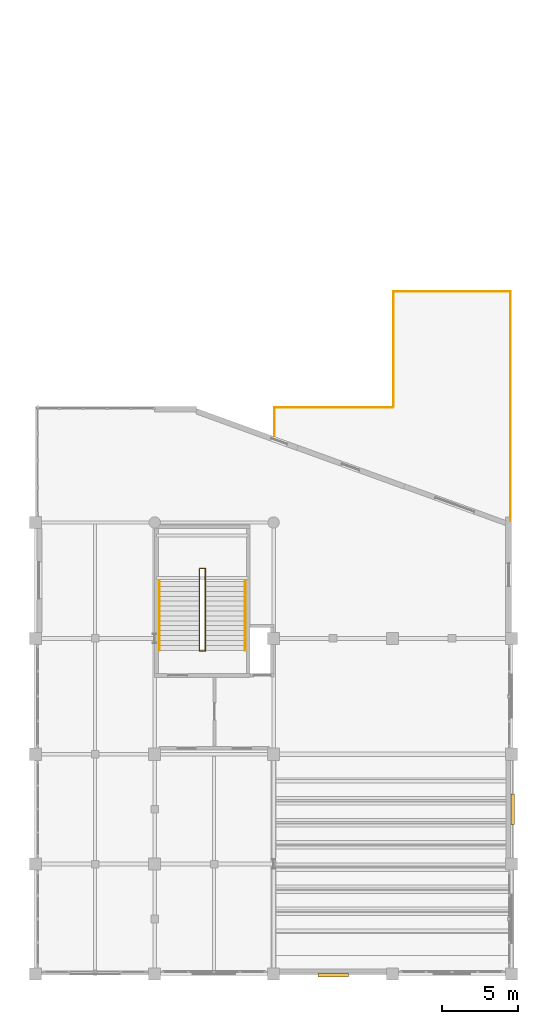
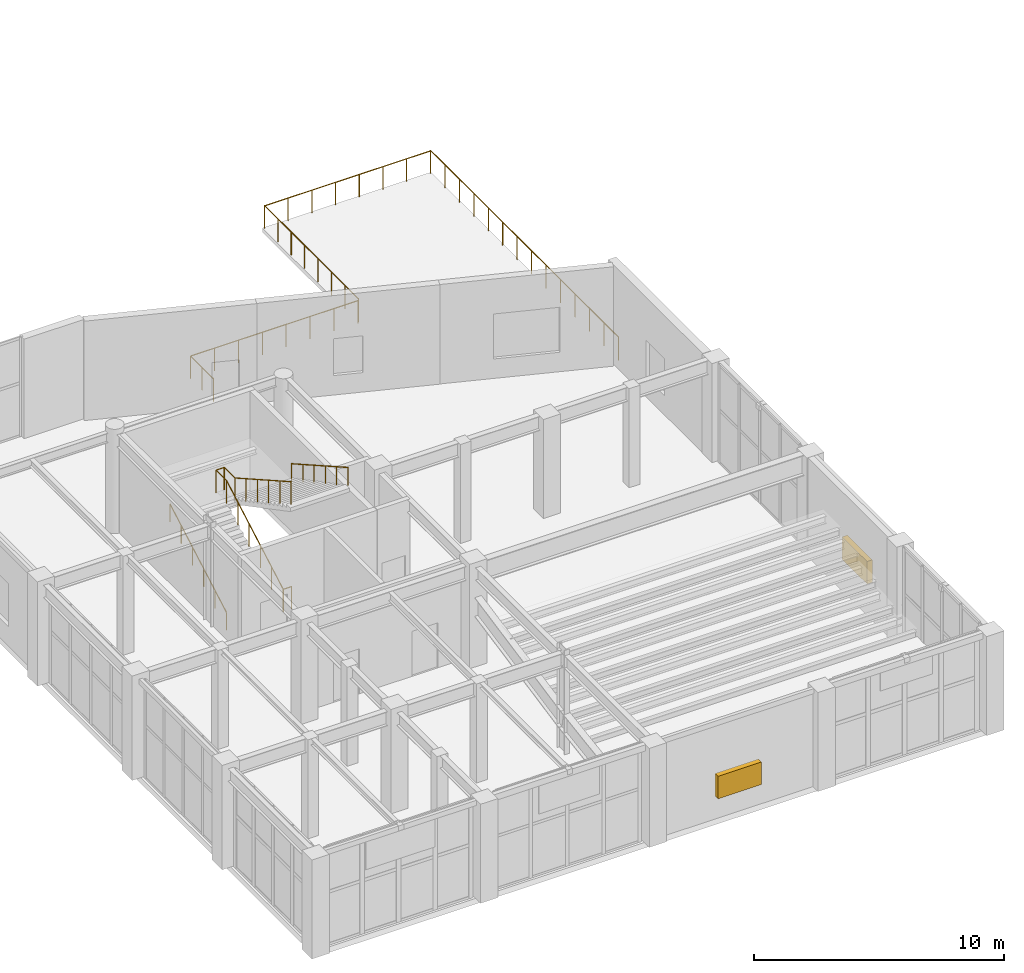
# One storey, part 127 of 128: 9 railings, 2 shading devices.
"""IFC4 building model written with IfcOpenShell, lengths in metres."""

from ifc_helpers import new_model, si_unit, direction, frame, origin, origin_2d, place, context, subcontext, project, spatial, rectangle, circle, extrude, material, type_object, element, save


model = new_model("IFC4")

# Units and contexts
model_context = context("Model", 3, precision=1e-05, world=origin(), true_north=direction((0.0, 1.0)))
body_context = subcontext(model_context, "Body", "Model", "MODEL_VIEW")
ifc_project = project(units=[si_unit("LENGTHUNIT", "METRE"), si_unit("AREAUNIT", "SQUARE_METRE"), si_unit("VOLUMEUNIT", "CUBIC_METRE"), si_unit("PLANEANGLEUNIT", "RADIAN"), si_unit("MASSUNIT", "GRAM", prefix="KILO")], contexts=[model_context])

# Site, building, storey
site_placement = place(None, origin())
site = spatial("IfcSite", under=ifc_project, at=site_placement, CompositionType="ELEMENT")
building_placement = place(site_placement, origin())
building = spatial("IfcBuilding", under=site, at=building_placement, Name="Xicomal Pleat Aquarium", CompositionType="ELEMENT")
storey_placement = place(building_placement, frame((0.0, 0.0, 5.39990234375)))
storey = spatial("IfcBuildingStorey", under=building, at=storey_placement, Name="L02", CompositionType="ELEMENT", Elevation=5.39990234375)

# Railings
ifc_material_1 = material(Name="Stainless steel 316L and laminated safety glass", Category="steel")
railing_type_1 = type_object("IfcRailingType", Name="RAL-GRD-1120", PredefinedType="GUARDRAIL", material=ifc_material_1)
railing_1_placement = place(storey_placement, frame((149.4599609375, 37.93994140625, 0.0)))
element("IfcRailing", 1, at=railing_1_placement, inside=storey, type_object=railing_type_1, Name="L02 terrace perimeter guard 1", PredefinedType="GUARDRAIL", context=body_context, shape_type="SweptSolid", body=[
    extrude(circle(Radius=0.02392578125, at=origin_2d()), frame((0.0, 0.0, 1.09619140625), z_axis=(1.0, 0.0, 0.0), x_axis=(0.0, 1.0, 0.0)), (0.0, 0.0, 1.0), 7.739990234375),
    extrude(circle(Radius=0.02099609375, at=origin_2d()), origin(), (0.0, 0.0, 1.0), 1.072021484375),
    extrude(circle(Radius=0.02099609375, at=origin_2d()), frame((1.105712890625, 0.0, 0.0)), (0.0, 0.0, 1.0), 1.072021484375),
    extrude(circle(Radius=0.02099609375, at=origin_2d()), frame((2.21142578125, 0.0, 0.0)), (0.0, 0.0, 1.0), 1.072021484375),
    extrude(circle(Radius=0.02099609375, at=origin_2d()), frame((3.317138671875, 0.0, 0.0)), (0.0, 0.0, 1.0), 1.072021484375),
    extrude(circle(Radius=0.02099609375, at=origin_2d()), frame((4.4228515625, 0.0, 0.0)), (0.0, 0.0, 1.0), 1.072021484375),
    extrude(circle(Radius=0.02099609375, at=origin_2d()), frame((5.528564453125, 0.0, 0.0)), (0.0, 0.0, 1.0), 1.072021484375),
    extrude(circle(Radius=0.02099609375, at=origin_2d()), frame((6.63427734375, 0.0, 0.0)), (0.0, 0.0, 1.0), 1.072021484375),
    extrude(circle(Radius=0.02099609375, at=origin_2d()), frame((7.739990234375, 0.0, 0.0)), (0.0, 0.0, 1.0), 1.072021484375),
])
railing_2_placement = place(storey_placement, frame((157.260009765625, 45.5400390625, 0.0)))
element("IfcRailing", 2, at=railing_2_placement, inside=storey, type_object=railing_type_1, Name="L02 terrace perimeter guard 3", PredefinedType="GUARDRAIL", context=body_context, shape_type="SweptSolid", body=[
    extrude(circle(Radius=0.02392578125, at=origin_2d()), frame((0.0, 0.0, 1.09619140625), z_axis=(1.0, 0.0, 0.0), x_axis=(0.0, 1.0, 0.0)), (0.0, 0.0, 1.0), 7.679931640625),
    extrude(circle(Radius=0.02099609375, at=origin_2d()), origin(), (0.0, 0.0, 1.0), 1.072021484375),
    extrude(circle(Radius=0.02099609375, at=origin_2d()), frame((1.09716796875, 0.0, 0.0)), (0.0, 0.0, 1.0), 1.072021484375),
    extrude(circle(Radius=0.02099609375, at=origin_2d()), frame((2.1943359375, 0.0, 0.0)), (0.0, 0.0, 1.0), 1.072021484375),
    extrude(circle(Radius=0.02099609375, at=origin_2d()), frame((3.29150390625, 0.0, 0.0)), (0.0, 0.0, 1.0), 1.072021484375),
    extrude(circle(Radius=0.02099609375, at=origin_2d()), frame((4.388427734375, 0.0, 0.0)), (0.0, 0.0, 1.0), 1.072021484375),
    extrude(circle(Radius=0.02099609375, at=origin_2d()), frame((5.485595703125, 0.0, 0.0)), (0.0, 0.0, 1.0), 1.072021484375),
    extrude(circle(Radius=0.02099609375, at=origin_2d()), frame((6.582763671875, 0.0, 0.0)), (0.0, 0.0, 1.0), 1.072021484375),
    extrude(circle(Radius=0.02099609375, at=origin_2d()), frame((7.679931640625, 0.0, 0.0)), (0.0, 0.0, 1.0), 1.072021484375),
])
railing_3_placement = place(storey_placement, frame((149.4599609375, 36.087890625, 0.0)))
element("IfcRailing", 3, at=railing_3_placement, inside=storey, type_object=railing_type_1, Name="L02 terrace perimeter guard 5", PredefinedType="GUARDRAIL", context=body_context, shape_type="SweptSolid", body=[
    extrude(circle(Radius=0.02392578125, at=origin_2d()), frame((0.0, 0.0, 1.09619140625), z_axis=(0.0, 1.0, 0.0), x_axis=(-1.0, 0.0, 0.0)), (0.0, 0.0, 1.0), 1.85205078125),
    extrude(circle(Radius=0.02099609375, at=origin_2d()), origin(), (0.0, 0.0, 1.0), 1.072021484375),
    extrude(circle(Radius=0.02099609375, at=origin_2d()), frame((0.0, 0.926025390625, 0.0)), (0.0, 0.0, 1.0), 1.072021484375),
    extrude(circle(Radius=0.02099609375, at=origin_2d()), frame((0.0, 1.85205078125, 0.0)), (0.0, 0.0, 1.0), 1.072021484375),
])
ifc_material_2 = material(Name="Stainless steel 316L and laminated safety glass", Category="steel")
railing_type_2 = type_object("IfcRailingType", Name="RAL-GRD-1150", PredefinedType="GUARDRAIL", material=ifc_material_2)
railing_4_placement = place(storey_placement, frame((157.260009765625, 38.0, 0.0)))
element("IfcRailing", 4, at=railing_4_placement, inside=storey, type_object=railing_type_2, Name="L02 terrace perimeter guard 2", PredefinedType="GUARDRAIL", context=body_context, shape_type="SweptSolid", body=[
    extrude(circle(Radius=0.02392578125, at=origin_2d()), frame((0.0, 0.0, 1.1259765625), z_axis=(0.0, 1.0, 0.0), x_axis=(-1.0, 0.0, 0.0)), (0.0, 0.0, 1.0), 7.5400390625),
    extrude(circle(Radius=0.02099609375, at=origin_2d()), origin(), (0.0, 0.0, 1.0), 1.101806640625),
    extrude(circle(Radius=0.02099609375, at=origin_2d()), frame((0.0, 1.0771484375, 0.0)), (0.0, 0.0, 1.0), 1.101806640625),
    extrude(circle(Radius=0.02099609375, at=origin_2d()), frame((0.0, 2.154296875, 0.0)), (0.0, 0.0, 1.0), 1.101806640625),
    extrude(circle(Radius=0.02099609375, at=origin_2d()), frame((0.0, 3.2314453125, 0.0)), (0.0, 0.0, 1.0), 1.101806640625),
    extrude(circle(Radius=0.02099609375, at=origin_2d()), frame((0.0, 4.30859375, 0.0)), (0.0, 0.0, 1.0), 1.101806640625),
    extrude(circle(Radius=0.02099609375, at=origin_2d()), frame((0.0, 5.3857421875, 0.0)), (0.0, 0.0, 1.0), 1.101806640625),
    extrude(circle(Radius=0.02099609375, at=origin_2d()), frame((0.0, 6.462890625, 0.0)), (0.0, 0.0, 1.0), 1.101806640625),
    extrude(circle(Radius=0.02099609375, at=origin_2d()), frame((0.0, 7.5400390625, 0.0)), (0.0, 0.0, 1.0), 1.101806640625),
])
railing_5_placement = place(storey_placement, frame((164.93994140625, 45.5400390625, 0.0)))
element("IfcRailing", 5, at=railing_5_placement, inside=storey, type_object=railing_type_2, Name="L02 terrace perimeter guard 4", PredefinedType="GUARDRAIL", context=body_context, shape_type="SweptSolid", body=[
    extrude(circle(Radius=0.02392578125, at=origin_2d()), frame((0.0, 0.0, 1.1259765625), z_axis=(0.0, -1.0, 0.0), x_axis=(1.0, 0.0, 0.0)), (0.0, 0.0, 1.0), 15.053955078125),
    extrude(circle(Radius=0.02099609375, at=origin_2d()), origin(), (0.0, 0.0, 1.0), 1.101806640625),
    extrude(circle(Radius=0.02099609375, at=origin_2d()), frame((0.0, -1.157958984375, 0.0)), (0.0, 0.0, 1.0), 1.101806640625),
    extrude(circle(Radius=0.02099609375, at=origin_2d()), frame((0.0, -2.31591796875, 0.0)), (0.0, 0.0, 1.0), 1.101806640625),
    extrude(circle(Radius=0.02099609375, at=origin_2d()), frame((0.0, -3.473876953125, 0.0)), (0.0, 0.0, 1.0), 1.101806640625),
    extrude(circle(Radius=0.02099609375, at=origin_2d()), frame((0.0, -4.632080078125, 0.0)), (0.0, 0.0, 1.0), 1.101806640625),
    extrude(circle(Radius=0.02099609375, at=origin_2d()), frame((0.0, -5.7900390625, 0.0)), (0.0, 0.0, 1.0), 1.101806640625),
    extrude(circle(Radius=0.02099609375, at=origin_2d()), frame((0.0, -6.947998046875, 0.0)), (0.0, 0.0, 1.0), 1.101806640625),
    extrude(circle(Radius=0.02099609375, at=origin_2d()), frame((0.0, -8.10595703125, 0.0)), (0.0, 0.0, 1.0), 1.101806640625),
    extrude(circle(Radius=0.02099609375, at=origin_2d()), frame((0.0, -9.263916015625, 0.0)), (0.0, 0.0, 1.0), 1.101806640625),
    extrude(circle(Radius=0.02099609375, at=origin_2d()), frame((0.0, -10.421875, 0.0)), (0.0, 0.0, 1.0), 1.101806640625),
    extrude(circle(Radius=0.02099609375, at=origin_2d()), frame((0.0, -11.580078125, 0.0)), (0.0, 0.0, 1.0), 1.101806640625),
    extrude(circle(Radius=0.02099609375, at=origin_2d()), frame((0.0, -12.738037109375, 0.0)), (0.0, 0.0, 1.0), 1.101806640625),
    extrude(circle(Radius=0.02099609375, at=origin_2d()), frame((0.0, -13.89599609375, 0.0)), (0.0, 0.0, 1.0), 1.101806640625),
    extrude(circle(Radius=0.02099609375, at=origin_2d()), frame((0.0, -15.053955078125, 0.0)), (0.0, 0.0, 1.0), 1.101806640625),
])
ifc_material_3 = material(Name="Brushed stainless steel 316L", Category="steel")
railing_type_3 = type_object("IfcRailingType", Name="RAL-HR-900", PredefinedType="HANDRAIL", material=ifc_material_3)
railing_6_placement = place(storey_placement, frame((141.919921875, 22.02001953125, 0.0)))
element("IfcRailing", 6, at=railing_6_placement, inside=storey, type_object=railing_type_3, Name="ST-08-L02 flight 1 handrail", PredefinedType="HANDRAIL", context=body_context, shape_type="SweptSolid", body=[
    extrude(circle(Radius=0.02392578125, at=origin_2d()), frame((0.0, 0.0, 0.8759765625), z_axis=(0.0, 0.870395983686, 0.492352344955), x_axis=(-1.0, 0.0, 0.0)), (0.0, 0.0, 1.0), 5.17919921875),
    extrude(circle(Radius=0.02099609375, at=origin_2d()), origin(), (0.0, 0.0, 1.0), 0.851806640625),
    extrude(circle(Radius=0.02099609375, at=origin_2d()), frame((0.0, 0.901611328125, 0.510009765625)), (0.0, 0.0, 1.0), 0.851806640625),
    extrude(circle(Radius=0.02099609375, at=origin_2d()), frame((0.0, 1.80322265625, 1.02001953125)), (0.0, 0.0, 1.0), 0.851806640625),
    extrude(circle(Radius=0.02099609375, at=origin_2d()), frame((0.0, 2.704833984375, 1.530029296875)), (0.0, 0.0, 1.0), 0.851806640625),
    extrude(circle(Radius=0.02099609375, at=origin_2d()), frame((0.0, 3.6064453125, 2.0400390625)), (0.0, 0.0, 1.0), 0.851806640625),
    extrude(circle(Radius=0.02099609375, at=origin_2d()), frame((0.0, 4.508056640625, 2.550048828125)), (0.0, 0.0, 1.0), 0.851806640625),
])
railing_7_placement = place(storey_placement, frame((147.5400390625, 26.528076171875, 2.550048828125)))
element("IfcRailing", 7, at=railing_7_placement, inside=storey, type_object=railing_type_3, Name="ST-08-L02 flight 2 handrail", PredefinedType="HANDRAIL", context=body_context, shape_type="SweptSolid", body=[
    extrude(circle(Radius=0.02392578125, at=origin_2d()), frame((0.0, 0.0, 0.8759765625), z_axis=(0.0, -0.870395983686, 0.492352344955), x_axis=(1.0, 0.0, 0.0)), (0.0, 0.0, 1.0), 5.17919921875),
    extrude(circle(Radius=0.02099609375, at=origin_2d()), origin(), (0.0, 0.0, 1.0), 0.851806640625),
    extrude(circle(Radius=0.02099609375, at=origin_2d()), frame((0.0, -0.901611328125, 0.510009765625)), (0.0, 0.0, 1.0), 0.851806640625),
    extrude(circle(Radius=0.02099609375, at=origin_2d()), frame((0.0, -1.80322265625, 1.02001953125)), (0.0, 0.0, 1.0), 0.851806640625),
    extrude(circle(Radius=0.02099609375, at=origin_2d()), frame((0.0, -2.704833984375, 1.530029296875)), (0.0, 0.0, 1.0), 0.851806640625),
    extrude(circle(Radius=0.02099609375, at=origin_2d()), frame((0.0, -3.6064453125, 2.0400390625)), (0.0, 0.0, 1.0), 0.851806640625),
    extrude(circle(Radius=0.02099609375, at=origin_2d()), frame((0.0, -4.508056640625, 2.550048828125)), (0.0, 0.0, 1.0), 0.851806640625),
])
ifc_material_4 = material(Name="Brushed stainless steel 316L", Category="steel")
railing_type_4 = type_object("IfcRailingType", Name="RAL-STG-1120", PredefinedType="GUARDRAIL", material=ifc_material_4)
railing_8_placement = place(storey_placement, frame((144.5400390625, 22.02001953125, 0.0)))
element("IfcRailing", 8, at=railing_8_placement, inside=storey, type_object=railing_type_4, Name="ST-08-L02 inner well guard", PredefinedType="GUARDRAIL", context=body_context, shape_type="SweptSolid", body=[
    extrude(circle(Radius=0.02392578125, at=origin_2d()), frame((0.0, 0.0, 1.09619140625), z_axis=(0.0, 0.870395983686, 0.492352344955), x_axis=(-1.0, 0.0, 0.0)), (0.0, 0.0, 1.0), 5.17919921875),
    extrude(circle(Radius=0.02392578125, at=origin_2d()), frame((0.0, 4.508056640625, 3.64599609375), z_axis=(0.0, 1.0, 0.0), x_axis=(-1.0, 0.0, 0.0)), (0.0, 0.0, 1.0), 0.849853515625),
    extrude(circle(Radius=0.02392578125, at=origin_2d()), frame((0.0, 5.35791015625, 3.64599609375), z_axis=(1.0, 0.0, 0.0), x_axis=(0.0, 1.0, 0.0)), (0.0, 0.0, 1.0), 0.3798828125),
    extrude(circle(Radius=0.02392578125, at=origin_2d()), frame((0.3798828125, 5.35791015625, 3.64599609375), z_axis=(0.0, -1.0, 0.0), x_axis=(1.0, 0.0, 0.0)), (0.0, 0.0, 1.0), 0.849853515625),
    extrude(circle(Radius=0.02392578125, at=origin_2d()), frame((0.3798828125, 4.508056640625, 3.64599609375), z_axis=(0.0, -0.870395983686, 0.492352344955), x_axis=(1.0, 0.0, 0.0)), (0.0, 0.0, 1.0), 5.17919921875),
    extrude(circle(Radius=0.02099609375, at=origin_2d()), origin(), (0.0, 0.0, 1.0), 1.072021484375),
    extrude(circle(Radius=0.02099609375, at=origin_2d()), frame((0.0, 0.901611328125, 0.510009765625)), (0.0, 0.0, 1.0), 1.072021484375),
    extrude(circle(Radius=0.02099609375, at=origin_2d()), frame((0.0, 1.80322265625, 1.02001953125)), (0.0, 0.0, 1.0), 1.072021484375),
    extrude(circle(Radius=0.02099609375, at=origin_2d()), frame((0.0, 2.704833984375, 1.530029296875)), (0.0, 0.0, 1.0), 1.072021484375),
    extrude(circle(Radius=0.02099609375, at=origin_2d()), frame((0.0, 3.6064453125, 2.0400390625)), (0.0, 0.0, 1.0), 1.072021484375),
    extrude(circle(Radius=0.02099609375, at=origin_2d()), frame((0.0, 4.508056640625, 2.550048828125)), (0.0, 0.0, 1.0), 1.072021484375),
    extrude(circle(Radius=0.02099609375, at=origin_2d()), frame((0.0, 5.35791015625, 2.550048828125)), (0.0, 0.0, 1.0), 1.072021484375),
    extrude(circle(Radius=0.02099609375, at=origin_2d()), frame((0.3798828125, 5.35791015625, 2.550048828125)), (0.0, 0.0, 1.0), 1.072021484375),
    extrude(circle(Radius=0.02099609375, at=origin_2d()), frame((0.3798828125, 4.508056640625, 2.550048828125)), (0.0, 0.0, 1.0), 1.072021484375),
    extrude(circle(Radius=0.02099609375, at=origin_2d()), frame((0.3798828125, 3.6064453125, 3.06005859375)), (0.0, 0.0, 1.0), 1.072021484375),
    extrude(circle(Radius=0.02099609375, at=origin_2d()), frame((0.3798828125, 2.704833984375, 3.570068359375)), (0.0, 0.0, 1.0), 1.072021484375),
    extrude(circle(Radius=0.02099609375, at=origin_2d()), frame((0.3798828125, 1.80322265625, 4.080078125)), (0.0, 0.0, 1.0), 1.072021484375),
    extrude(circle(Radius=0.02099609375, at=origin_2d()), frame((0.3798828125, 0.901611328125, 4.590087890625)), (0.0, 0.0, 1.0), 1.072021484375),
    extrude(circle(Radius=0.02099609375, at=origin_2d()), frame((0.3798828125, 0.0, 5.10009765625)), (0.0, 0.0, 1.0), 1.072021484375),
])
railing_9_placement = place(storey_placement, frame((144.5400390625, 21.97998046875, 0.0)))
element("IfcRailing", 9, at=railing_9_placement, inside=storey, type_object=railing_type_4, Name="ST-08-L02 floor landing slot guard", PredefinedType="GUARDRAIL", context=body_context, shape_type="SweptSolid", body=[
    extrude(circle(Radius=0.02392578125, at=origin_2d()), frame((0.0, 0.0, 1.09619140625), z_axis=(1.0, 0.0, 0.0), x_axis=(0.0, 1.0, 0.0)), (0.0, 0.0, 1.0), 0.3798828125),
    extrude(circle(Radius=0.02099609375, at=origin_2d()), origin(), (0.0, 0.0, 1.0), 1.072021484375),
    extrude(circle(Radius=0.02099609375, at=origin_2d()), frame((0.3798828125, 0.0, 0.0)), (0.0, 0.0, 1.0), 1.072021484375),
])

# Shading devices
ifc_material_5 = material(Name="Perforated bronze anodized aluminium", Category="aluminium")
shading_device_type = type_object("IfcShadingDeviceType", Name="SHD-LOUV-ALU", PredefinedType="JALOUSIE", material=ifc_material_5)
for number, where, z_axis, x_axis, name in (
    (10, (165.080078125, 11.60009765625, 1.10009765625), (0.0, 0.0, 1.0), (0.0, -1.0, 0.0), "L02 LSS acoustic weather louvre 14"),
    (11, (153.300048828125, 0.719970703125, 1.10009765625), (0.0, 0.0, 1.0), (-1.0, 0.0, 0.0), "L02 LSS acoustic weather louvre 15"),
):
    element("IfcShadingDevice", number, at=place(storey_placement, frame(where, z_axis=z_axis, x_axis=x_axis)), inside=storey, type_object=shading_device_type, Name=name, PredefinedType="JALOUSIE", context=body_context, shape_type="SweptSolid", body=[
        extrude(rectangle(XDim=2.0, YDim=0.239990234375, at=origin_2d()), origin(), (0.0, 0.0, 1.0), 1.10009765625),
    ])

save(model, "model.ifc")
